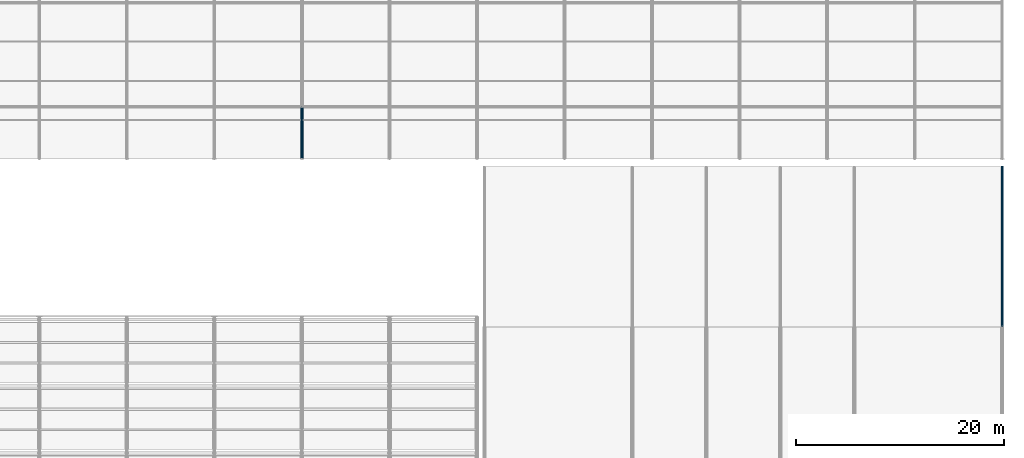
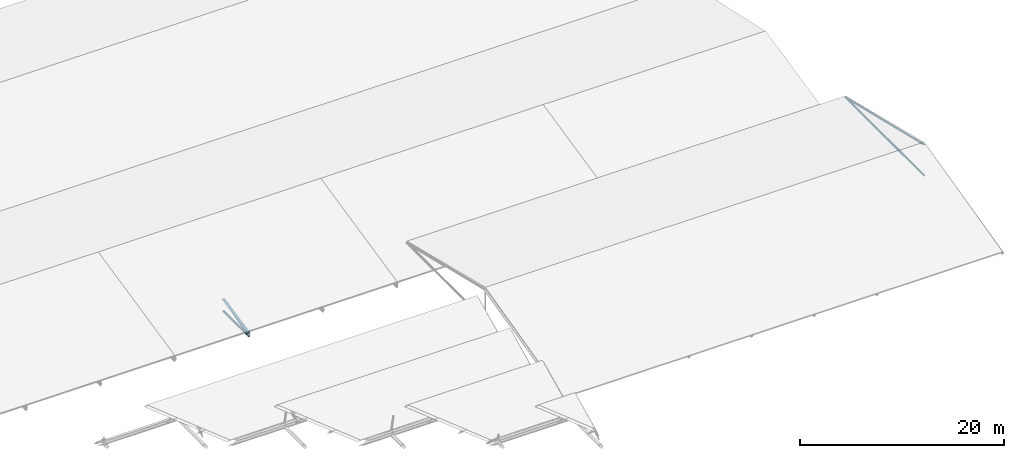
# One storey, part 68 of 194: 5 members.
"""IFC4 building model written with IfcOpenShell, lengths in metres."""

from ifc_helpers import new_model, si_unit, direction, frame, origin, origin_2d, place, context, subcontext, project, spatial, hollow_circle, extrude, material, material_profile, profile_set, type_object, element, save


model = new_model("IFC4")

# Units and contexts
model_context = context("Model", 3, precision=1e-05, world=origin(), true_north=direction((0.0, 1.0)))
body_context = subcontext(model_context, "Body", "Model", "MODEL_VIEW")
ifc_project = project(units=[si_unit("LENGTHUNIT", "METRE"), si_unit("AREAUNIT", "SQUARE_METRE"), si_unit("VOLUMEUNIT", "CUBIC_METRE"), si_unit("PLANEANGLEUNIT", "RADIAN"), si_unit("MASSUNIT", "GRAM", prefix="KILO")], contexts=[model_context])

# Site, building, storey
site_placement = place(None, origin())
site = spatial("IfcSite", under=ifc_project, at=site_placement, CompositionType="ELEMENT")
building_placement = place(site_placement, origin())
building = spatial("IfcBuilding", under=site, at=building_placement, Name="Kazenagashi Tramway Depot", CompositionType="ELEMENT")
storey_placement = place(building_placement, frame((0.0, 0.0, 23.7)))
storey = spatial("IfcBuildingStorey", under=building, at=storey_placement, Name="ROOF", CompositionType="ELEMENT", Elevation=23.7)

# Members
ifc_material = material(Name="Steel STK490", Category="steel")
ifc_material_profile_1 = material_profile(ifc_material, hollow_circle(Radius=0.1337, WallThickness=0.0093, at=origin_2d()), Name="CHS-267.4x9.3")
ifc_profile_set_1 = profile_set([ifc_material_profile_1], Name="Steel STK490")
member_type_1 = type_object("IfcMemberType", Name="TC-01", PredefinedType="CHORD", material=ifc_profile_set_1)
member_1_placement = place(storey_placement, frame((128.8, 70.0, -13.7), z_axis=(0.0, 0.979317999984, 0.202327098797), x_axis=(-1.0, 0.0, 0.0)))
element("IfcMember", 1, at=member_1_placement, inside=storey, type_object=member_type_1, Name="Tubular Space Frame TC-01 MEM-0611", PredefinedType="CHORD", context=body_context, shape_type="SweptSolid", body=[
    extrude(hollow_circle(Radius=0.1337, WallThickness=0.0093, at=origin_2d()), origin(), (0.0, 0.0, 1.0), 5.105594),
])
ifc_material_profile_2 = material_profile(ifc_material, hollow_circle(Radius=0.10815, WallThickness=0.0082, at=origin_2d()), Name="CHS-216.3x8.2")
ifc_profile_set_2 = profile_set([ifc_material_profile_2], Name="Steel STK490")
member_type_2 = type_object("IfcMemberType", Name="TC-02", PredefinedType="CHORD", material=ifc_profile_set_2)
member_2_placement = place(storey_placement, frame((128.8, 70.0, -14.1), z_axis=(0.0, 1.0, 0.0), x_axis=(-1.0, 0.0, 0.0)))
element("IfcMember", 2, at=member_2_placement, inside=storey, type_object=member_type_2, Name="Tubular Space Frame TC-02 MEM-0612", PredefinedType="CHORD", context=body_context, shape_type="SweptSolid", body=[
    extrude(hollow_circle(Radius=0.10815, WallThickness=0.0082, at=origin_2d()), origin(), (0.0, 0.0, 1.0), 5.0),
])
member_3_placement = place(storey_placement, frame((196.0, 53.9, -4.9), z_axis=(0.0, 0.972329961031, -0.233611743884), x_axis=(-1.0, 0.0, 0.0)))
element("IfcMember", 3, at=member_3_placement, inside=storey, type_object=member_type_2, Name="Roof Truss TC-02 MEM-1548", PredefinedType="CHORD", context=body_context, shape_type="SweptSolid", body=[
    extrude(hollow_circle(Radius=0.10815, WallThickness=0.0082, at=origin_2d()), origin(), (0.0, 0.0, 1.0), 15.838245),
])
member_4_placement = place(storey_placement, frame((196.0, 53.9, -8.6), z_axis=(0.0, 1.0, 0.0), x_axis=(-1.0, 0.0, 0.0)))
element("IfcMember", 4, at=member_4_placement, inside=storey, type_object=member_type_2, Name="Roof Truss TC-02 MEM-1550", PredefinedType="CHORD", context=body_context, shape_type="SweptSolid", body=[
    extrude(hollow_circle(Radius=0.10815, WallThickness=0.0082, at=origin_2d()), origin(), (0.0, 0.0, 1.0), 15.4),
])
ifc_material_profile_3 = material_profile(ifc_material, hollow_circle(Radius=0.0826, WallThickness=0.0071, at=origin_2d()), Name="CHS-165.2x7.1")
ifc_profile_set_3 = profile_set([ifc_material_profile_3], Name="Steel STK490")
member_type_3 = type_object("IfcMemberType", Name="TS-01", PredefinedType="STRUT", material=ifc_profile_set_3)
member_5_placement = place(storey_placement, frame((128.8, 70.0, -14.1), z_axis=(0.0, 0.961298717795, 0.27550821252), x_axis=(-1.0, 0.0, 0.0)))
element("IfcMember", 5, at=member_5_placement, inside=storey, type_object=member_type_3, Name="Tubular Space Frame TS-01 MEM-0613", PredefinedType="STRUT", context=body_context, shape_type="SweptSolid", body=[
    extrude(hollow_circle(Radius=0.0826, WallThickness=0.0071, at=origin_2d()), origin(), (0.0, 0.0, 1.0), 5.201297),
])

save(model, "model.ifc")
